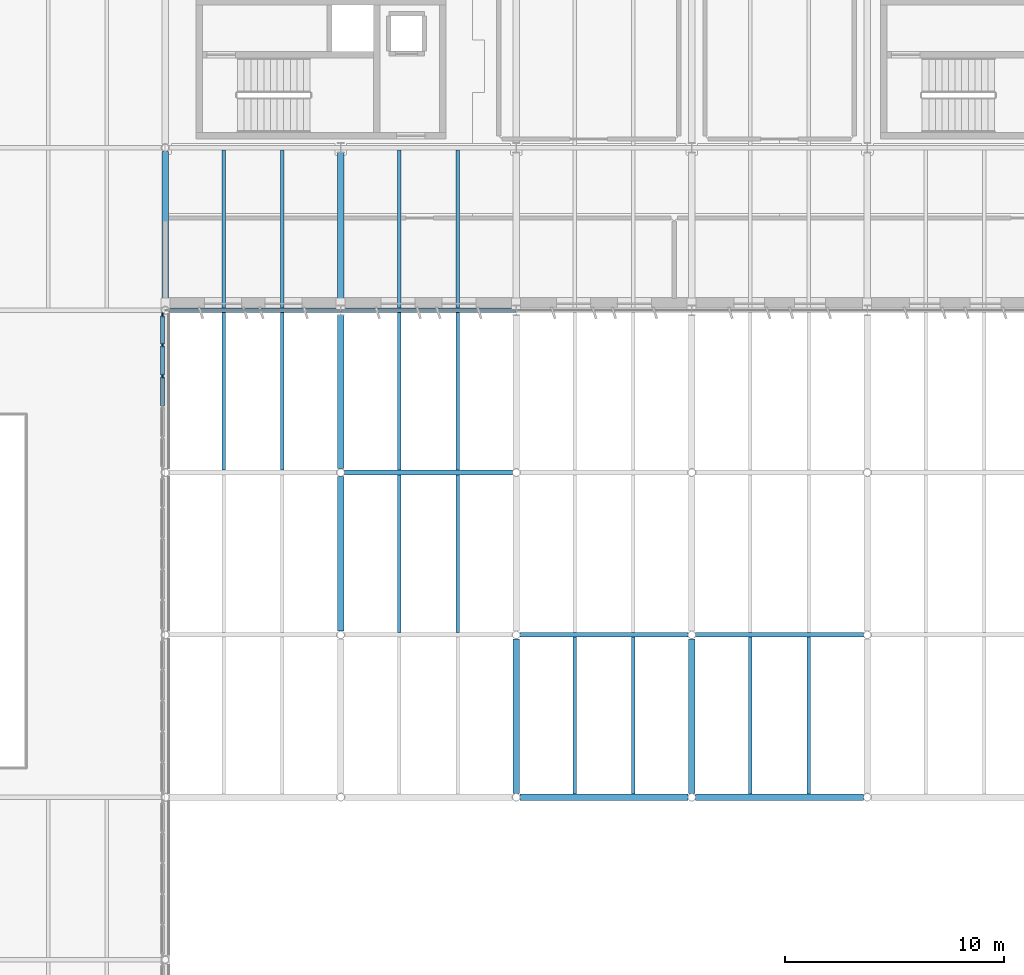
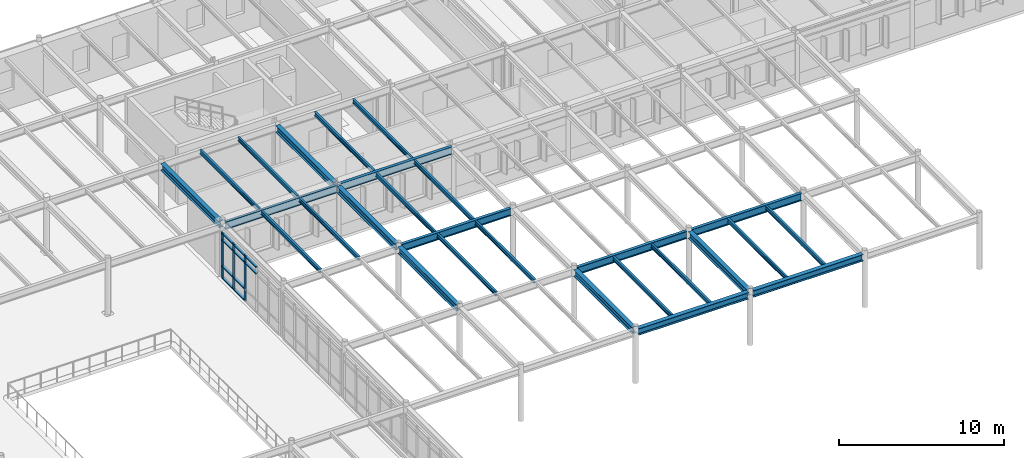
# One storey, part 24 of 63: 27 beams, 13 members, 1 element without a shape of its own.
"""IFC4 building model written with IfcOpenShell, lengths in metres."""

from ifc_helpers import new_model, si_unit, direction, frame, origin, origin_2d, place, context, subcontext, project, spatial, rectangle, i_section, extrude, material, layer, layer_set, material_profile, profile_set, type_object, element, aggregate, save


model = new_model("IFC4")

# Units and contexts
model_context = context("Model", 3, precision=1e-05, world=origin(), true_north=direction((0.0, 1.0)))
body_context = subcontext(model_context, "Body", "Model", "MODEL_VIEW")
ifc_project = project(units=[si_unit("LENGTHUNIT", "METRE"), si_unit("AREAUNIT", "SQUARE_METRE"), si_unit("VOLUMEUNIT", "CUBIC_METRE"), si_unit("PLANEANGLEUNIT", "RADIAN"), si_unit("MASSUNIT", "GRAM", prefix="KILO")], contexts=[model_context])

# Site, building, storey
site_placement = place(None, origin())
site = spatial("IfcSite", under=ifc_project, at=site_placement, CompositionType="ELEMENT")
building_placement = place(site_placement, origin())
building = spatial("IfcBuilding", under=site, at=building_placement, Name="Valkorina Park Police Headquarters", CompositionType="ELEMENT")
storey_placement = place(building_placement, frame((0.0, 0.0, 9.89990234375)))
storey = spatial("IfcBuildingStorey", under=building, at=storey_placement, Name="L03", CompositionType="ELEMENT", Elevation=9.89990234375)

# Beams
ifc_material_1 = material(Name="Steel S355", Category="steel")
ifc_material_profile_1 = material_profile(ifc_material_1, i_section(OverallWidth=0.300048828125, OverallDepth=0.489990234375, WebThickness=0.011962890625, FlangeThickness=0.02294921875, FilletRadius=0.027099609375, at=origin_2d()), Name="HEA 500")
ifc_profile_set_1 = profile_set([ifc_material_profile_1], Name="Steel S355")
beam_type_1 = type_object("IfcBeamType", Name="BM-S355-HEA500-BM", PredefinedType="BEAM", material=ifc_profile_set_1)
for number, where, z_axis, x_axis, name in (
    (1, (80.800048828125, 59.377685546875, 3.675048828125), (0.0, 1.0, 0.0), (-1.0, 0.0, 0.0), "L03 Framing Beam 2052"),
    (2, (88.800048828125, 44.577880859375, 3.710205078125), (0.0, 1.0, 0.0), (-1.0, 0.0, 0.0), "L03 Framing Beam 2062"),
):
    element("IfcBeam", number, at=place(storey_placement, frame(where, z_axis=z_axis, x_axis=x_axis)), inside=storey, type_object=beam_type_1, Name=name, PredefinedType="BEAM", context=body_context, shape_type="SweptSolid", body=[
        extrude(i_section(OverallWidth=0.300048828125, OverallDepth=0.489990234375, WebThickness=0.011962890625, FlangeThickness=0.02294921875, FilletRadius=0.027099609375, at=origin_2d()), origin(), (0.0, 0.0, 1.0), 7.04443359375),
    ])
beam_1_placement = place(storey_placement, frame((88.800048828125, 51.977783203125, 3.710205078125), z_axis=(0.0, 1.0, 0.0), x_axis=(-1.0, 0.0, 0.0)))
element("IfcBeam", 3, at=beam_1_placement, inside=storey, type_object=beam_type_1, Name="L03 Framing Beam 2065", PredefinedType="BEAM", context=body_context, shape_type="SweptSolid", body=[
    extrude(i_section(OverallWidth=0.300048828125, OverallDepth=0.489990234375, WebThickness=0.011962890625, FlangeThickness=0.02294921875, FilletRadius=0.027099609375, at=origin_2d()), origin(), (0.0, 0.0, 1.0), 6.997314453125),
])
beam_2_placement = place(storey_placement, frame((88.800048828125, 59.425048828125, 3.710205078125), z_axis=(0.0, 1.0, 0.0), x_axis=(-1.0, 0.0, 0.0)))
element("IfcBeam", 4, at=beam_2_placement, inside=storey, type_object=beam_type_1, Name="L03 Framing Beam 2068", PredefinedType="BEAM", context=body_context, shape_type="SweptSolid", body=[
    extrude(i_section(OverallWidth=0.300048828125, OverallDepth=0.489990234375, WebThickness=0.011962890625, FlangeThickness=0.02294921875, FilletRadius=0.027099609375, at=origin_2d()), origin(), (0.0, 0.0, 1.0), 6.949951171875),
])
for number, where, z_axis, x_axis, name in (
    (5, (96.800048828125, 37.177734375, 3.710205078125), (0.0, 1.0, 0.0), (-1.0, 0.0, 0.0), "L03 Framing Beam 2074"),
    (6, (104.800048828125, 37.177734375, 3.710205078125), (0.0, 1.0, 0.0), (-1.0, 0.0, 0.0), "L03 Framing Beam 2092"),
):
    element("IfcBeam", number, at=place(storey_placement, frame(where, z_axis=z_axis, x_axis=x_axis)), inside=storey, type_object=beam_type_1, Name=name, PredefinedType="BEAM", context=body_context, shape_type="SweptSolid", body=[
        extrude(i_section(OverallWidth=0.300048828125, OverallDepth=0.489990234375, WebThickness=0.011962890625, FlangeThickness=0.02294921875, FilletRadius=0.027099609375, at=origin_2d()), origin(), (0.0, 0.0, 1.0), 7.04443359375),
    ])
ifc_material_profile_2 = material_profile(ifc_material_1, i_section(OverallWidth=0.300048828125, OverallDepth=0.489990234375, WebThickness=0.011962890625, FlangeThickness=0.02294921875, FilletRadius=0.027099609375, at=origin_2d()), Name="HEA 500")
ifc_profile_set_2 = profile_set([ifc_material_profile_2], Name="Steel S355")
beam_type_2 = type_object("IfcBeamType", Name="BM-S355-HEA500-SPN", PredefinedType="SPANDREL", material=ifc_profile_set_2)
for number, where, z_axis, x_axis, name in (
    (7, (96.977783203125, 37.0, 3.710205078125), (1.0, 0.0, 0.0), (0.0, 1.0, 0.0), "L03 Framing Beam 1864"),
    (8, (104.977783203125, 37.0, 3.710205078125), (1.0, 0.0, 0.0), (0.0, 1.0, 0.0), "L03 Framing Beam 1865"),
):
    element("IfcBeam", number, at=place(storey_placement, frame(where, z_axis=z_axis, x_axis=x_axis)), inside=storey, type_object=beam_type_2, Name=name, PredefinedType="SPANDREL", context=body_context, shape_type="SweptSolid", body=[
        extrude(i_section(OverallWidth=0.300048828125, OverallDepth=0.489990234375, WebThickness=0.011962890625, FlangeThickness=0.02294921875, FilletRadius=0.027099609375, at=origin_2d()), origin(), (0.0, 0.0, 1.0), 7.64453125),
    ])
ifc_material_profile_3 = material_profile(ifc_material_1, i_section(OverallWidth=0.14990234375, OverallDepth=0.300048828125, WebThickness=0.007080078125, FlangeThickness=0.0107421875, FilletRadius=0.014892578125, at=origin_2d()), Name="IPE 300")
ifc_profile_set_3 = profile_set([ifc_material_profile_3], Name="Steel S355")
beam_type_3 = type_object("IfcBeamType", Name="BM-S355-IPE300-JST", PredefinedType="JOIST", material=ifc_profile_set_3)
for number, where, z_axis, x_axis, name in (
    (9, (83.466796875, 51.905029296875, 3.80517578125), (0.0, 1.0, 0.0), (-1.0, 0.0, 0.0), "L03 Framing Beam 2050"),
    (10, (86.13330078125, 51.905029296875, 3.80517578125), (0.0, 1.0, 0.0), (-1.0, 0.0, 0.0), "L03 Framing Beam 2051"),
):
    element("IfcBeam", number, at=place(storey_placement, frame(where, z_axis=z_axis, x_axis=x_axis)), inside=storey, type_object=beam_type_3, Name=name, PredefinedType="JOIST", context=body_context, shape_type="SweptSolid", body=[
        extrude(i_section(OverallWidth=0.14990234375, OverallDepth=0.300048828125, WebThickness=0.007080078125, FlangeThickness=0.0107421875, FilletRadius=0.014892578125, at=origin_2d()), origin(), (0.0, 0.0, 1.0), 7.18994140625),
    ])
for number, where, z_axis, x_axis, name in (
    (11, (83.466796875, 59.304931640625, 3.80517578125), (0.0, 1.0, 0.0), (-1.0, 0.0, 0.0), "L03 Framing Beam 2053"),
    (12, (86.13330078125, 59.304931640625, 3.80517578125), (0.0, 1.0, 0.0), (-1.0, 0.0, 0.0), "L03 Framing Beam 2054"),
    (13, (91.466796875, 44.5048828125, 3.80517578125), (0.0, 1.0, 0.0), (-1.0, 0.0, 0.0), "L03 Framing Beam 2063"),
    (14, (94.13330078125, 44.5048828125, 3.80517578125), (0.0, 1.0, 0.0), (-1.0, 0.0, 0.0), "L03 Framing Beam 2064"),
):
    element("IfcBeam", number, at=place(storey_placement, frame(where, z_axis=z_axis, x_axis=x_axis)), inside=storey, type_object=beam_type_3, Name=name, PredefinedType="JOIST", context=body_context, shape_type="SweptSolid", body=[
        extrude(i_section(OverallWidth=0.14990234375, OverallDepth=0.300048828125, WebThickness=0.007080078125, FlangeThickness=0.0107421875, FilletRadius=0.014892578125, at=origin_2d()), origin(), (0.0, 0.0, 1.0), 7.190185546875),
    ])
for number, where, z_axis, x_axis, name in (
    (15, (91.466796875, 51.905029296875, 3.80517578125), (0.0, 1.0, 0.0), (-1.0, 0.0, 0.0), "L03 Framing Beam 2066"),
    (16, (94.13330078125, 51.905029296875, 3.80517578125), (0.0, 1.0, 0.0), (-1.0, 0.0, 0.0), "L03 Framing Beam 2067"),
):
    element("IfcBeam", number, at=place(storey_placement, frame(where, z_axis=z_axis, x_axis=x_axis)), inside=storey, type_object=beam_type_3, Name=name, PredefinedType="JOIST", context=body_context, shape_type="SweptSolid", body=[
        extrude(i_section(OverallWidth=0.14990234375, OverallDepth=0.300048828125, WebThickness=0.007080078125, FlangeThickness=0.0107421875, FilletRadius=0.014892578125, at=origin_2d()), origin(), (0.0, 0.0, 1.0), 7.18994140625),
    ])
for number, where, z_axis, x_axis, name in (
    (17, (91.466796875, 59.304931640625, 3.80517578125), (0.0, 1.0, 0.0), (-1.0, 0.0, 0.0), "L03 Framing Beam 2069"),
    (18, (94.13330078125, 59.304931640625, 3.80517578125), (0.0, 1.0, 0.0), (-1.0, 0.0, 0.0), "L03 Framing Beam 2070"),
):
    element("IfcBeam", number, at=place(storey_placement, frame(where, z_axis=z_axis, x_axis=x_axis)), inside=storey, type_object=beam_type_3, Name=name, PredefinedType="JOIST", context=body_context, shape_type="SweptSolid", body=[
        extrude(i_section(OverallWidth=0.14990234375, OverallDepth=0.300048828125, WebThickness=0.007080078125, FlangeThickness=0.0107421875, FilletRadius=0.014892578125, at=origin_2d()), origin(), (0.0, 0.0, 1.0), 7.190185546875),
    ])
for number, where, z_axis, x_axis, name in (
    (19, (99.466796875, 37.14990234375, 3.80517578125), (0.0, 1.0, 0.0), (-1.0, 0.0, 0.0), "L03 Framing Beam 2075"),
    (20, (102.13330078125, 37.14990234375, 3.80517578125), (0.0, 1.0, 0.0), (-1.0, 0.0, 0.0), "L03 Framing Beam 2076"),
    (21, (107.466796875, 37.14990234375, 3.80517578125), (0.0, 1.0, 0.0), (-1.0, 0.0, 0.0), "L03 Framing Beam 2093"),
    (22, (110.13330078125, 37.14990234375, 3.80517578125), (0.0, 1.0, 0.0), (-1.0, 0.0, 0.0), "L03 Framing Beam 2094"),
):
    element("IfcBeam", number, at=place(storey_placement, frame(where, z_axis=z_axis, x_axis=x_axis)), inside=storey, type_object=beam_type_3, Name=name, PredefinedType="JOIST", context=body_context, shape_type="SweptSolid", body=[
        extrude(i_section(OverallWidth=0.14990234375, OverallDepth=0.300048828125, WebThickness=0.007080078125, FlangeThickness=0.0107421875, FilletRadius=0.014892578125, at=origin_2d()), origin(), (0.0, 0.0, 1.0), 7.14501953125),
    ])
ifc_material_profile_4 = material_profile(ifc_material_1, i_section(OverallWidth=0.2099609375, OverallDepth=0.550048828125, WebThickness=0.010986328125, FlangeThickness=0.01708984375, FilletRadius=0.02392578125, at=origin_2d()), Name="IPE 550")
ifc_profile_set_4 = profile_set([ifc_material_profile_4], Name="Steel S355")
beam_type_4 = type_object("IfcBeamType", Name="BM-S355-IPE550-BM", PredefinedType="BEAM", material=ifc_profile_set_4)
for number, where, z_axis, x_axis, name in (
    (23, (96.977783203125, 44.39990234375, 3.68017578125), (1.0, 0.0, 0.0), (0.0, 1.0, 0.0), "L03 Framing Beam 1879"),
    (24, (104.977783203125, 44.39990234375, 3.68017578125), (1.0, 0.0, 0.0), (0.0, 1.0, 0.0), "L03 Framing Beam 1880"),
    (25, (88.977783203125, 51.800048828125, 3.68017578125), (1.0, 0.0, 0.0), (0.0, 1.0, 0.0), "L03 Framing Beam 1890"),
):
    element("IfcBeam", number, at=place(storey_placement, frame(where, z_axis=z_axis, x_axis=x_axis)), inside=storey, type_object=beam_type_4, Name=name, PredefinedType="BEAM", context=body_context, shape_type="SweptSolid", body=[
        extrude(i_section(OverallWidth=0.2099609375, OverallDepth=0.550048828125, WebThickness=0.010986328125, FlangeThickness=0.01708984375, FilletRadius=0.02392578125, at=origin_2d()), origin(), (0.0, 0.0, 1.0), 7.64453125),
    ])
beam_3_placement = place(storey_placement, frame((80.977783203125, 59.199951171875, 3.64501953125), z_axis=(1.0, 0.0, 0.0), x_axis=(0.0, 1.0, 0.0)))
element("IfcBeam", 26, at=beam_3_placement, inside=storey, type_object=beam_type_4, Name="L03 Framing Beam 1907", PredefinedType="BEAM", context=body_context, shape_type="SweptSolid", body=[
    extrude(i_section(OverallWidth=0.2099609375, OverallDepth=0.550048828125, WebThickness=0.010986328125, FlangeThickness=0.01708984375, FilletRadius=0.02392578125, at=origin_2d()), origin(), (0.0, 0.0, 1.0), 7.815185546875),
])
beam_4_placement = place(storey_placement, frame((88.806884765625, 59.199951171875, 3.68017578125), z_axis=(1.0, 0.0, 0.0), x_axis=(0.0, 1.0, 0.0)))
element("IfcBeam", 27, at=beam_4_placement, inside=storey, type_object=beam_type_4, Name="L03 Framing Beam 1908", PredefinedType="BEAM", context=body_context, shape_type="SweptSolid", body=[
    extrude(i_section(OverallWidth=0.2099609375, OverallDepth=0.550048828125, WebThickness=0.010986328125, FlangeThickness=0.01708984375, FilletRadius=0.02392578125, at=origin_2d()), origin(), (0.0, 0.0, 1.0), 7.986083984375),
])

# Curtain wall, members
ifc_material_2 = material(Name="Thermally broken aluminium AW-6060", Category="aluminium")
ifc_layer = layer(ifc_material_2, 0.18994140625)
ifc_layer_set = layer_set([ifc_layer], Name="Thermally broken aluminium AW-6060")
curtain_wall_type = type_object("IfcCurtainWallType", Name="CW-V4-7020x3360", PredefinedType="NOTDEFINED", material=ifc_layer_set)
curtain_wall_placement = place(storey_placement, origin())
curtain_wall = element("IfcCurtainWall", 28, at=curtain_wall_placement, inside=storey, type_object=curtain_wall_type, Name="L03 Unitised Curtain Wall 020", PredefinedType="NOTDEFINED")
ifc_material_profile_5 = material_profile(ifc_material_2, rectangle(XDim=0.080078125, YDim=0.219970703125, at=origin_2d()), Name="CWM-03 80x220")
ifc_profile_set_5 = profile_set([ifc_material_profile_5], Name="Thermally broken aluminium AW-6060")
member_type_1 = type_object("IfcMemberType", Name="CWM-80x220", PredefinedType="MULLION", material=ifc_profile_set_5)
member_1_placement = place(storey_placement, frame((80.679931640625, 58.97216796875, 0.0), z_axis=(0.0, 0.0, 1.0), x_axis=(1.0, 0.0, 0.0)))
member_1 = element("IfcMember", 29, at=member_1_placement, type_object=member_type_1, Name="CW-V4-702-336 mullion 1", PredefinedType="MULLION", context=body_context, shape_type="SweptSolid", body=[
    extrude(rectangle(XDim=0.080078125, YDim=0.219970703125, at=origin_2d()), origin(), (0.0, 0.0, 1.0), 3.360107421875),
])
member_2_placement = place(storey_placement, frame((80.679931640625, 57.607421875, 0.0), z_axis=(0.0, 0.0, 1.0), x_axis=(1.0, 0.0, 0.0)))
member_2 = element("IfcMember", 30, at=member_2_placement, type_object=member_type_1, Name="CW-V4-702-336 mullion 2", PredefinedType="MULLION", context=body_context, shape_type="SweptSolid", body=[
    extrude(rectangle(XDim=0.080078125, YDim=0.219970703125, at=origin_2d()), origin(), (0.0, 0.0, 1.0), 3.360107421875),
])
member_3_placement = place(storey_placement, frame((80.679931640625, 56.202392578125, 0.0), z_axis=(0.0, 0.0, 1.0), x_axis=(1.0, 0.0, 0.0)))
member_3 = element("IfcMember", 31, at=member_3_placement, type_object=member_type_1, Name="CW-V4-702-336 mullion 3", PredefinedType="MULLION", context=body_context, shape_type="SweptSolid", body=[
    extrude(rectangle(XDim=0.080078125, YDim=0.219970703125, at=origin_2d()), origin(), (0.0, 0.0, 1.0), 3.360107421875),
])
ifc_material_profile_6 = material_profile(ifc_material_2, rectangle(XDim=0.179931640625, YDim=0.080078125, at=origin_2d()), Name="CWT-03 180x80")
ifc_profile_set_6 = profile_set([ifc_material_profile_6], Name="Thermally broken aluminium AW-6060")
member_type_2 = type_object("IfcMemberType", Name="CWT-180x80", PredefinedType="USERDEFINED", material=ifc_profile_set_6)
member_4_placement = place(storey_placement, frame((80.679931640625, 58.93212890625, 0.0400390625), z_axis=(0.0, -1.0, 0.0), x_axis=(1.0, 0.0, 0.0)))
member_4 = element("IfcMember", 32, at=member_4_placement, type_object=member_type_2, Name="CW-V4-702-336 transom 1.1", ObjectType="TRANSOM", PredefinedType="USERDEFINED", context=body_context, shape_type="SweptSolid", body=[
    extrude(rectangle(XDim=0.179931640625, YDim=0.080078125, at=origin_2d()), origin(), (0.0, 0.0, 1.0), 1.284912109375),
])
member_5_placement = place(storey_placement, frame((80.679931640625, 58.93212890625, 0.900146484375), z_axis=(0.0, -1.0, 0.0), x_axis=(1.0, 0.0, 0.0)))
member_5 = element("IfcMember", 33, at=member_5_placement, type_object=member_type_2, Name="CW-V4-702-336 transom 1.2", ObjectType="TRANSOM", PredefinedType="USERDEFINED", context=body_context, shape_type="SweptSolid", body=[
    extrude(rectangle(XDim=0.179931640625, YDim=0.080078125, at=origin_2d()), origin(), (0.0, 0.0, 1.0), 1.284912109375),
])
member_6_placement = place(storey_placement, frame((80.679931640625, 58.93212890625, 2.840087890625), z_axis=(0.0, -1.0, 0.0), x_axis=(1.0, 0.0, 0.0)))
member_6 = element("IfcMember", 34, at=member_6_placement, type_object=member_type_2, Name="CW-V4-702-336 transom 1.3", ObjectType="TRANSOM", PredefinedType="USERDEFINED", context=body_context, shape_type="SweptSolid", body=[
    extrude(rectangle(XDim=0.179931640625, YDim=0.080078125, at=origin_2d()), origin(), (0.0, 0.0, 1.0), 1.284912109375),
])
member_7_placement = place(storey_placement, frame((80.679931640625, 58.93212890625, 3.320068359375), z_axis=(0.0, -1.0, 0.0), x_axis=(1.0, 0.0, 0.0)))
member_7 = element("IfcMember", 35, at=member_7_placement, type_object=member_type_2, Name="CW-V4-702-336 transom 1.4", ObjectType="TRANSOM", PredefinedType="USERDEFINED", context=body_context, shape_type="SweptSolid", body=[
    extrude(rectangle(XDim=0.179931640625, YDim=0.080078125, at=origin_2d()), origin(), (0.0, 0.0, 1.0), 1.284912109375),
])
member_8_placement = place(storey_placement, frame((80.679931640625, 57.5673828125, 0.0400390625), z_axis=(0.0, -1.0, 0.0), x_axis=(1.0, 0.0, 0.0)))
member_8 = element("IfcMember", 36, at=member_8_placement, type_object=member_type_2, Name="CW-V4-702-336 transom 2.1", ObjectType="TRANSOM", PredefinedType="USERDEFINED", context=body_context, shape_type="SweptSolid", body=[
    extrude(rectangle(XDim=0.179931640625, YDim=0.080078125, at=origin_2d()), origin(), (0.0, 0.0, 1.0), 1.324951171875),
])
member_9_placement = place(storey_placement, frame((80.679931640625, 57.5673828125, 0.900146484375), z_axis=(0.0, -1.0, 0.0), x_axis=(1.0, 0.0, 0.0)))
member_9 = element("IfcMember", 37, at=member_9_placement, type_object=member_type_2, Name="CW-V4-702-336 transom 2.2", ObjectType="TRANSOM", PredefinedType="USERDEFINED", context=body_context, shape_type="SweptSolid", body=[
    extrude(rectangle(XDim=0.179931640625, YDim=0.080078125, at=origin_2d()), origin(), (0.0, 0.0, 1.0), 1.324951171875),
])
member_10_placement = place(storey_placement, frame((80.679931640625, 57.5673828125, 2.840087890625), z_axis=(0.0, -1.0, 0.0), x_axis=(1.0, 0.0, 0.0)))
member_10 = element("IfcMember", 38, at=member_10_placement, type_object=member_type_2, Name="CW-V4-702-336 transom 2.3", ObjectType="TRANSOM", PredefinedType="USERDEFINED", context=body_context, shape_type="SweptSolid", body=[
    extrude(rectangle(XDim=0.179931640625, YDim=0.080078125, at=origin_2d()), origin(), (0.0, 0.0, 1.0), 1.324951171875),
])
member_11_placement = place(storey_placement, frame((80.679931640625, 57.5673828125, 3.320068359375), z_axis=(0.0, -1.0, 0.0), x_axis=(1.0, 0.0, 0.0)))
member_11 = element("IfcMember", 39, at=member_11_placement, type_object=member_type_2, Name="CW-V4-702-336 transom 2.4", ObjectType="TRANSOM", PredefinedType="USERDEFINED", context=body_context, shape_type="SweptSolid", body=[
    extrude(rectangle(XDim=0.179931640625, YDim=0.080078125, at=origin_2d()), origin(), (0.0, 0.0, 1.0), 1.324951171875),
])
member_12_placement = place(storey_placement, frame((80.679931640625, 56.162353515625, 2.840087890625), z_axis=(0.0, -1.0, 0.0), x_axis=(1.0, 0.0, 0.0)))
member_12 = element("IfcMember", 40, at=member_12_placement, type_object=member_type_2, Name="CW-V4-702-336 transom 3.3", ObjectType="TRANSOM", PredefinedType="USERDEFINED", context=body_context, shape_type="SweptSolid", body=[
    extrude(rectangle(XDim=0.179931640625, YDim=0.080078125, at=origin_2d()), origin(), (0.0, 0.0, 1.0), 1.32470703125),
])
member_13_placement = place(storey_placement, frame((80.679931640625, 56.162353515625, 3.320068359375), z_axis=(0.0, -1.0, 0.0), x_axis=(1.0, 0.0, 0.0)))
member_13 = element("IfcMember", 41, at=member_13_placement, type_object=member_type_2, Name="CW-V4-702-336 transom 3.4", ObjectType="TRANSOM", PredefinedType="USERDEFINED", context=body_context, shape_type="SweptSolid", body=[
    extrude(rectangle(XDim=0.179931640625, YDim=0.080078125, at=origin_2d()), origin(), (0.0, 0.0, 1.0), 1.32470703125),
])
aggregate(curtain_wall, [member_1, member_2, member_3, member_4, member_5, member_6, member_7, member_8, member_9, member_10, member_11, member_12, member_13])

save(model, "model.ifc")
